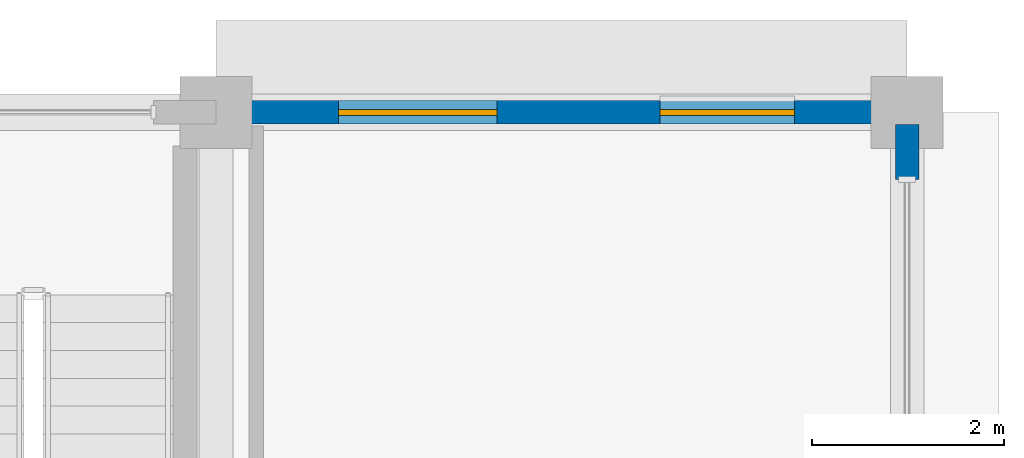
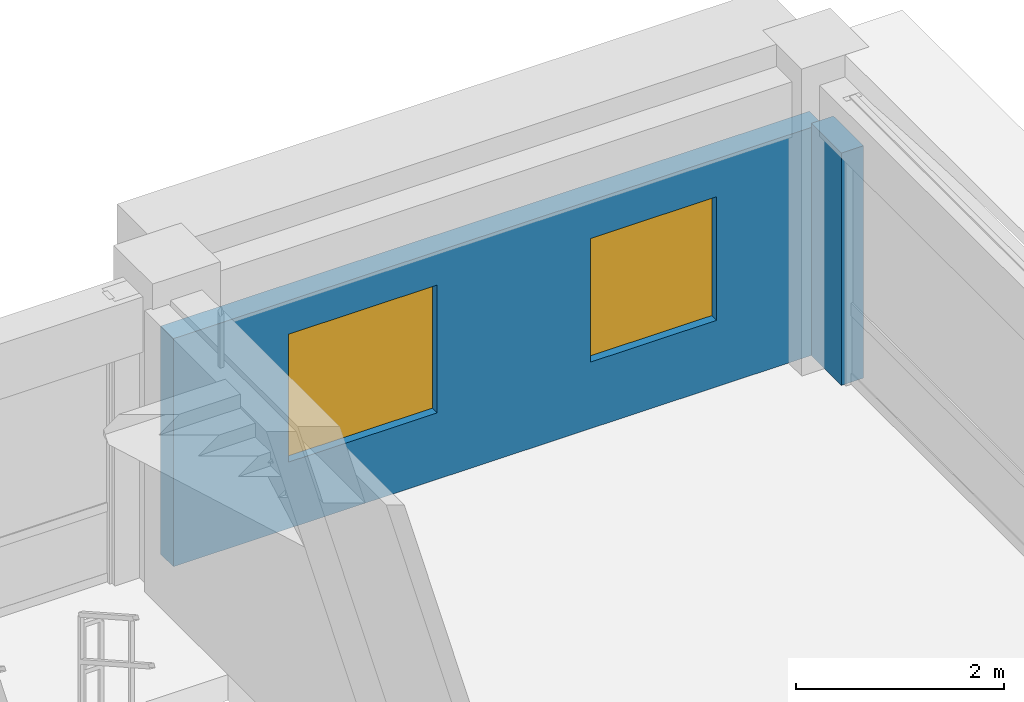
# One storey, part 67 of 88: 2 walls, 2 windows, 2 openings.
"""IFC4 building model written with IfcOpenShell, lengths in metres."""

import ifcopenshell
import ifcopenshell.guid

model = None  # the IFC model being written
_history = None  # IfcOwnerHistory: only IFC2X3 demands one
_inside = {}  # id of a spatial element -> (the spatial element, [elements in it])
_under = {}  # id of a project, library or spatial element -> (it, [spatial elements below it])
_declared = {}  # id of a project -> (the project, [libraries it declares])
_typed = {}  # id of a type object -> (the type object, [elements of that type])
_made_of = {}  # id of a material, layer set ... -> (it, [elements and type objects made of it])


def new_model(schema):
    """Start an empty IFC model of exactly this schema.

    Asked for "IFC4X3", IfcOpenShell would pick the latest addendum, in which some entities
    have other attributes; the version numbers below select the first issue.
    IFC2X3 requires an IfcOwnerHistory on every rooted entity: one is made here for all.
    """
    global model, _history
    if schema == "IFC4X3":
        model = ifcopenshell.file(schema_version=(4, 3, 0, 0))
    else:
        model = ifcopenshell.file(schema=schema)
    _inside.clear()
    _under.clear()
    _declared.clear()
    _typed.clear()
    _made_of.clear()
    _history = None
    if model.schema == "IFC2X3":
        org = make("IfcOrganization", Name="unknown")
        user = make(
            "IfcPersonAndOrganization",
            ThePerson=make("IfcPerson", FamilyName="unknown"),
            TheOrganization=org,
        )
        app = make(
            "IfcApplication",
            ApplicationDeveloper=org,
            Version="unknown",
            ApplicationFullName="unknown",
            ApplicationIdentifier="unknown",
        )
        _history = make(
            "IfcOwnerHistory",
            OwningUser=user,
            OwningApplication=app,
            ChangeAction="ADDED",
            CreationDate=0,
        )
    return model


def make(cls, **values):
    """One entity of the class cls with the attributes given. An attribute that is None is left unset."""
    return model.create_entity(
        cls, **{name: value for name, value in values.items() if value is not None}
    )


def rooted(cls, **values):
    """An entity with a GlobalId (a new one), such as an element, a storey or a relation."""
    return make(cls, GlobalId=ifcopenshell.guid.new(), OwnerHistory=_history, **values)


def si_unit(unit_type, name, prefix=None):
    """IfcSIUnit, for example si_unit("LENGTHUNIT", "METRE", prefix="MILLI")."""
    return make("IfcSIUnit", UnitType=unit_type, Prefix=prefix, Name=name)


def assignment(units):
    """IfcUnitAssignment: the units of a project."""
    return None if units is None else make("IfcUnitAssignment", Units=units)


def point(xyz):
    """IfcCartesianPoint."""
    return None if xyz is None else make("IfcCartesianPoint", Coordinates=xyz)


def direction(xyz):
    """IfcDirection."""
    return None if xyz is None else make("IfcDirection", DirectionRatios=xyz)


def frame(location, z_axis=None, x_axis=None):
    """IfcAxis2Placement3D, a coordinate frame: its origin and axes. An axis left out is left unset."""
    return make(
        "IfcAxis2Placement3D",
        Location=point(location),
        Axis=direction(z_axis),
        RefDirection=direction(x_axis),
    )


def frame_2d(location, x_axis=None):
    """IfcAxis2Placement2D, a coordinate frame in the plane: its origin and x axis."""
    return make(
        "IfcAxis2Placement2D", Location=point(location), RefDirection=direction(x_axis)
    )


def origin():
    """The frame at (0, 0, 0) with its axes left unset."""
    return frame((0.0, 0.0, 0.0))


def place(relative_to, where):
    """IfcLocalPlacement: puts the frame where relative to a parent placement (None: the world)."""
    return make(
        "IfcLocalPlacement", PlacementRelTo=relative_to, RelativePlacement=where
    )


def context(
    kind, dimensions, precision=None, world=None, true_north=None, identifier=None
):
    """IfcGeometricRepresentationContext, for example the 3D "Model" context."""
    return make(
        "IfcGeometricRepresentationContext",
        ContextIdentifier=identifier,
        ContextType=kind,
        CoordinateSpaceDimension=dimensions,
        Precision=precision,
        WorldCoordinateSystem=world,
        TrueNorth=true_north,
    )


def subcontext(parent, identifier, kind, view, scale=None):
    """IfcGeometricRepresentationSubContext, for example "Body" below "Model"."""
    return make(
        "IfcGeometricRepresentationSubContext",
        ContextIdentifier=identifier,
        ContextType=kind,
        ParentContext=parent,
        TargetScale=scale,
        TargetView=view,
    )


def project(units=None, contexts=None):
    """IfcProject with its units and contexts."""
    return rooted(
        "IfcProject",
        Name="project",
        RepresentationContexts=contexts,
        UnitsInContext=assignment(units),
    )


def spatial(cls, under=None, at=None, **own):
    """A site, building, storey or space (cls), placed at a placement, below another one or the project."""
    s = rooted(cls, ObjectPlacement=at, **own)
    if under is not None:
        _under.setdefault(under.id(), (under, []))[1].append(s)
    return s


def profile(cls, at=None, kind="AREA", **sizes):
    """A parametric profile (cls). Its sizes go by their IFC names, for example OverallWidth=200.0."""
    return make(cls, ProfileType=kind, Position=at, **sizes)


def rectangle(**sizes):
    """IfcRectangleProfileDef."""
    return profile("IfcRectangleProfileDef", **sizes)


def extrude(swept, where, along, depth):
    """IfcExtrudedAreaSolid: the profile swept, set in the frame where, extruded along a direction by depth."""
    return make(
        "IfcExtrudedAreaSolid",
        SweptArea=swept,
        Position=where,
        ExtrudedDirection=direction(along),
        Depth=depth,
    )


def shape(context_of_items, identifier, shape_type, items):
    """IfcShapeRepresentation: the items that make up one representation, for example the "Body"."""
    return make(
        "IfcShapeRepresentation",
        ContextOfItems=context_of_items,
        RepresentationIdentifier=identifier,
        RepresentationType=shape_type,
        Items=items,
    )


def material(Name=None, Category=None):
    """IfcMaterial."""
    return make("IfcMaterial", Name=Name, Category=Category)


def layer(
    of_material, thickness, ventilated=None, Name=None, Category=None, Priority=None
):
    """IfcMaterialLayer: one layer of a wall or slab, of a material (None: an air gap)."""
    return make(
        "IfcMaterialLayer",
        Material=of_material,
        LayerThickness=thickness,
        IsVentilated=ventilated,
        Name=Name,
        Category=Category,
        Priority=Priority,
    )


def layer_set(layers, Name=None):
    """IfcMaterialLayerSet."""
    return make("IfcMaterialLayerSet", MaterialLayers=layers, LayerSetName=Name)


def made_of(thing, what):
    """Note that an element or type object is made of a material, layer set ...; save() writes the relation."""
    if what is not None:
        _made_of.setdefault(what.id(), (what, []))[1].append(thing)
    return thing


def type_object(cls, material=None, **own):
    """A type object (cls), such as IfcWallType, which elements share."""
    return made_of(rooted(cls, **own), material)


def element(
    cls,
    number,
    at=None,
    inside=None,
    cuts=None,
    type_object=None,
    material=None,
    context=None,
    identifier="Body",
    shape_type=None,
    held_by="IfcProductDefinitionShape",
    body=None,
    shapes=None,
    **own,
):
    """One element of the class cls, such as IfcWall. Its Tag is "e" and its number.

    at: its placement. inside: the storey or other place that contains it. cuts: it is an
    opening in that element (IfcRelVoidsElement). A single representation is given by context,
    identifier, shape_type and body (its items); several are given by shapes. held_by: the class
    of the entity that holds the representations. save() writes the other relations.
    """
    e = rooted(cls, Tag="e%d" % number, ObjectPlacement=at, **own)
    if body is not None:
        shapes = [shape(context, identifier, shape_type, body)]
    if shapes is not None:
        e.Representation = make(held_by, Representations=shapes)
    if inside is not None:
        _inside.setdefault(inside.id(), (inside, []))[1].append(e)
    if cuts is not None:
        rooted(
            "IfcRelVoidsElement", RelatingBuildingElement=cuts, RelatedOpeningElement=e
        )
    if type_object is not None:
        _typed.setdefault(type_object.id(), (type_object, []))[1].append(e)
    return made_of(e, material)


def fill(opening, filler):
    """IfcRelFillsElement: the door or window that sits in an opening."""
    return rooted(
        "IfcRelFillsElement",
        RelatingOpeningElement=opening,
        RelatedBuildingElement=filler,
    )


def aggregate(whole, parts):
    """IfcRelAggregates: a whole, such as a stair, and the parts it consists of."""
    return rooted("IfcRelAggregates", RelatingObject=whole, RelatedObjects=parts)


def save(model, path):
    """Write the relations noted so far, then the file.

    IfcRelAggregates (storeys below a building ...), IfcRelContainedInSpatialStructure (elements
    in a storey), IfcRelDefinesByType, IfcRelAssociatesMaterial and IfcRelDeclares: one each for
    every whole, place, type object, material and project.
    """
    for whole, parts in _under.values():
        aggregate(whole, parts)
    for where, things in _inside.values():
        rooted(
            "IfcRelContainedInSpatialStructure",
            RelatedElements=things,
            RelatingStructure=where,
        )
    for kind, things in _typed.values():
        rooted("IfcRelDefinesByType", RelatedObjects=things, RelatingType=kind)
    for what, things in _made_of.values():
        rooted("IfcRelAssociatesMaterial", RelatedObjects=things, RelatingMaterial=what)
    for by, libraries in _declared.values():
        rooted("IfcRelDeclares", RelatingContext=by, RelatedDefinitions=libraries)
    model.write(path)


model = new_model("IFC4")

# Units and contexts
model_context = context("Model", 3, precision=1e-05, world=origin(), true_north=direction((0.0, 1.0)))
body_context = subcontext(model_context, "Body", "Model", "MODEL_VIEW")
ifc_project = project(units=[si_unit("LENGTHUNIT", "METRE"), si_unit("AREAUNIT", "SQUARE_METRE"), si_unit("VOLUMEUNIT", "CUBIC_METRE"), si_unit("PLANEANGLEUNIT", "RADIAN"), si_unit("MASSUNIT", "GRAM", prefix="KILO"), si_unit("THERMODYNAMICTEMPERATUREUNIT", "KELVIN")], contexts=[model_context])

# Site, building, storey
site_placement = place(None, origin())
site = spatial("IfcSite", under=ifc_project, at=site_placement, CompositionType="ELEMENT")
building_placement = place(site_placement, origin())
building = spatial("IfcBuilding", under=site, at=building_placement, Name="Thalorik Housing Commons", CompositionType="ELEMENT")
storey_placement = place(building_placement, frame((0.0, 0.0, 4.5)))
storey = spatial("IfcBuildingStorey", under=building, at=storey_placement, Name="L01", CompositionType="ELEMENT", Elevation=4.5)

# Wall
ifc_material_1 = material(Name="White precast concrete C40/50", Category="concrete")
ifc_layer = layer(ifc_material_1, 0.2451171875, Name="White precast concrete C40/50", Category="concrete")
ifc_layer_set = layer_set([ifc_layer], Name="White precast concrete C40/50")
wall_type = type_object("IfcWallType", Name="ARC-WAL-EXT-245", PredefinedType="STANDARD", material=ifc_layer_set)
wall_1_placement = place(storey_placement, frame((174.0, 122.89990234375, 0.0), z_axis=(0.0, 0.0, 1.0), x_axis=(0.0, 1.0, 0.0)))
element("IfcWall", 1, at=wall_1_placement, inside=storey, type_object=wall_type, Name="L01 Exterior Wall WAL-PIERR-L01-B-0408", PredefinedType="STANDARD", context=body_context, shape_type="SweptSolid", body=[
    extrude(rectangle(XDim=0.57568359375, YDim=0.2451171875, at=frame_2d((0.287841796875, 0.0))), origin(), (0.0, 0.0, 1.0), 2.72509765625),
])

# Wall, openings, windows
wall_2_placement = place(storey_placement, frame((174.0, 123.60009765625, 0.0), z_axis=(0.0, 0.0, 1.0), x_axis=(-1.0, 0.0, 0.0)))
wall_2 = element("IfcWall", 2, at=wall_2_placement, inside=storey, type_object=wall_type, Name="L01 Exterior Wall WAL-EXT-L01-B-0409", PredefinedType="STANDARD", context=body_context, shape_type="SweptSolid", body=[
    extrude(rectangle(XDim=7.199951171875, YDim=0.2451171875, at=frame_2d((3.60009765625, 0.0))), origin(), (0.0, 0.0, 1.0), 2.675048828125),
])
opening_1_placement = place(wall_2_placement, frame((1.172607421875, 0.0, 0.780029296875)))
opening_1 = element("IfcOpeningElement", 3, at=opening_1_placement, cuts=wall_2, Name="Opening W-08", PredefinedType="OPENING", context=body_context, shape_type="SweptSolid", body=[
    extrude(rectangle(XDim=1.39990234375, YDim=1.449951171875, at=frame_2d((0.699951171875, 0.72509765625))), frame((0.0, 0.132568359375, 0.0), z_axis=(0.0, -1.0, 0.0), x_axis=(1.0, 0.0, 0.0)), (0.0, 0.0, 1.0), 0.26513671875),
])
opening_2_placement = place(wall_2_placement, frame((4.2724609375, 0.0, 0.780029296875)))
opening_2 = element("IfcOpeningElement", 4, at=opening_2_placement, cuts=wall_2, Name="Opening W-15", PredefinedType="OPENING", context=body_context, shape_type="SweptSolid", body=[
    extrude(rectangle(XDim=1.64990234375, YDim=1.5, at=frame_2d((0.824951171875, 0.75))), frame((0.0, 0.132568359375, 0.0), z_axis=(0.0, -1.0, 0.0), x_axis=(1.0, 0.0, 0.0)), (0.0, 0.0, 1.0), 0.26513671875),
])
ifc_material_2 = material(Name="Anodised aluminium and solar-control low-E glass", Category="aluminium")
window_type_1 = type_object("IfcWindowType", Name="ARC-WIN-08", PartitioningType="SINGLE_PANEL", PredefinedType="WINDOW", material=ifc_material_2)
window_1_placement = place(opening_1_placement, origin())
window_1 = element("IfcWindow", 5, at=window_1_placement, inside=storey, type_object=window_type_1, Name="L01 Facade Window 728", OverallHeight=1.449951171875, OverallWidth=1.39990234375, PartitioningType="SINGLE_PANEL", PredefinedType="WINDOW", context=body_context, shape_type="SweptSolid", body=[
    extrude(rectangle(XDim=1.39990234375, YDim=1.449951171875, at=frame_2d((0.699951171875, 0.72509765625))), frame((0.0, 0.030029296875, 0.0), z_axis=(0.0, -1.0, 0.0), x_axis=(1.0, 0.0, 0.0)), (0.0, 0.0, 1.0), 0.06005859375),
])
fill(opening_1, window_1)
window_type_2 = type_object("IfcWindowType", Name="ARC-WIN-15", PartitioningType="DOUBLE_PANEL_VERTICAL", PredefinedType="WINDOW", material=ifc_material_2)
window_2_placement = place(opening_2_placement, origin())
window_2 = element("IfcWindow", 6, at=window_2_placement, inside=storey, type_object=window_type_2, Name="L01 Facade Window 729", OverallHeight=1.5, OverallWidth=1.64990234375, PartitioningType="DOUBLE_PANEL_VERTICAL", PredefinedType="WINDOW", context=body_context, shape_type="SweptSolid", body=[
    extrude(rectangle(XDim=1.64990234375, YDim=1.5, at=frame_2d((0.824951171875, 0.75))), frame((0.0, 0.030029296875, 0.0), z_axis=(0.0, -1.0, 0.0), x_axis=(1.0, 0.0, 0.0)), (0.0, 0.0, 1.0), 0.06005859375),
])
fill(opening_2, window_2)

save(model, "model.ifc")
